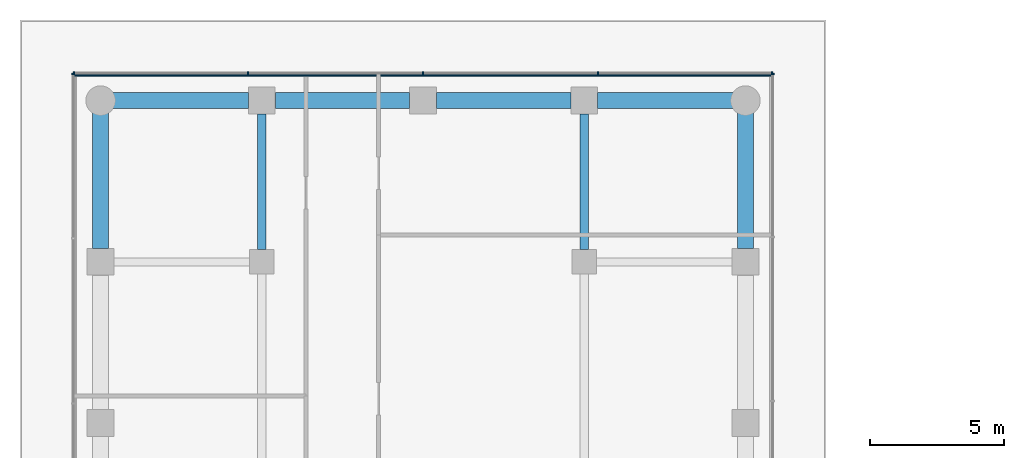
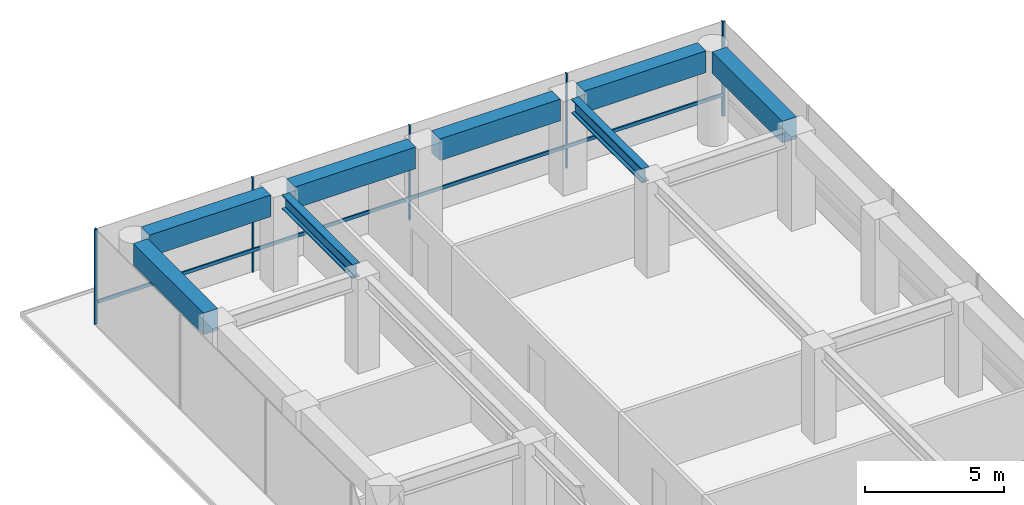
# One storey, part 19 of 24: 8 beams, 8 members, 3 elements without a shape of their own.
"""IFC4 building model written with IfcOpenShell, lengths in metres."""

from ifc_helpers import new_model, si_unit, direction, frame, origin, origin_2d, place, context, subcontext, project, spatial, rectangle, i_section, extrude, material, layer, layer_set, material_profile, profile_set, type_object, element, aggregate, save


model = new_model("IFC4")

# Units and contexts
model_context = context("Model", 3, precision=1e-05, world=origin(), true_north=direction((0.0, 1.0)))
body_context = subcontext(model_context, "Body", "Model", "MODEL_VIEW")
ifc_project = project(units=[si_unit("LENGTHUNIT", "METRE"), si_unit("AREAUNIT", "SQUARE_METRE"), si_unit("VOLUMEUNIT", "CUBIC_METRE"), si_unit("PLANEANGLEUNIT", "RADIAN"), si_unit("MASSUNIT", "GRAM", prefix="KILO")], contexts=[model_context])

# Site, building, storey
site_placement = place(None, origin())
site = spatial("IfcSite", under=ifc_project, at=site_placement, CompositionType="ELEMENT")
building_placement = place(site_placement, origin())
building = spatial("IfcBuilding", under=site, at=building_placement, Name="Welwitschia Terrace Campus", CompositionType="ELEMENT")
storey_placement = place(building_placement, frame((0.0, 0.0, 20.0)))
storey = spatial("IfcBuildingStorey", under=building, at=storey_placement, Name="L04", CompositionType="ELEMENT", Elevation=20.0)

# Beams
ifc_material_1 = material(Name="Steel S355", Category="steel")
ifc_material_profile_1 = material_profile(ifc_material_1, i_section(OverallWidth=0.304931640625, OverallDepth=0.6201171875, WebThickness=0.02099609375, FlangeThickness=0.0400390625, FilletRadius=0.027099609375, at=origin_2d()))
ifc_profile_set_1 = profile_set([ifc_material_profile_1], Name="Steel S355")
beam_type_1 = type_object("IfcBeamType", Name="Interior girder HE 600 M", PredefinedType="BEAM", material=ifc_profile_set_1)
for number, where, z_axis, x_axis, name in (
    (1, (6.0, 56.450439453125, 3.840087890625), (0.0, 1.0, 0.0), (-1.0, 0.0, 0.0), "Girder GB1"),
    (2, (18.0, 56.450439453125, 3.840087890625), (0.0, 1.0, 0.0), (-1.0, 0.0, 0.0), "Girder GB1"),
):
    element("IfcBeam", number, at=place(storey_placement, frame(where, z_axis=z_axis, x_axis=x_axis)), inside=storey, type_object=beam_type_1, Name=name, PredefinedType="BEAM", context=body_context, shape_type="SweptSolid", body=[
        extrude(i_section(OverallWidth=0.304931640625, OverallDepth=0.6201171875, WebThickness=0.02099609375, FlangeThickness=0.0400390625, FilletRadius=0.027099609375, at=origin_2d()), origin(), (0.0, 0.0, 1.0), 5.05908203125),
    ])

# Curtain wall, member
ifc_material_2 = material(Name="Bronze anodised aluminium", Category="aluminium")
ifc_layer = layer(ifc_material_2, 0.1201171875)
ifc_layer_set = layer_set([ifc_layer], Name="Bronze anodised aluminium")
curtain_wall_type = type_object("IfcCurtainWallType", Name="Curtain wall CW2 tower 6000", PredefinedType="NOTDEFINED", material=ifc_layer_set)
curtain_wall_1_placement = place(storey_placement, origin())
curtain_wall_1 = element("IfcCurtainWall", 3, at=curtain_wall_1_placement, inside=storey, type_object=curtain_wall_type, Name="CW L04.7.0", PredefinedType="NOTDEFINED")
ifc_material_3 = material(Name="Bronze anodised aluminium", Category="aluminium")
ifc_material_profile_2 = material_profile(ifc_material_3, rectangle(XDim=0.1201171875, YDim=0.06005859375, at=origin_2d()))
ifc_profile_set_2 = profile_set([ifc_material_profile_2], Name="Bronze anodised aluminium")
member_type_1 = type_object("IfcMemberType", Name="Mullion 60x120", PredefinedType="MULLION", material=ifc_profile_set_2)
member_1_placement = place(storey_placement, frame((25.02001953125, 62.989990234375, 0.0), z_axis=(0.0, 0.0, 1.0), x_axis=(-1.0, 0.0, 0.0)))
member_1 = element("IfcMember", 4, at=member_1_placement, type_object=member_type_1, Name="Mullion L04.7.0.6", PredefinedType="MULLION", context=body_context, shape_type="SweptSolid", body=[
    extrude(rectangle(XDim=0.1201171875, YDim=0.06005859375, at=origin_2d()), origin(), (0.0, 0.0, 1.0), 4.14990234375),
])
aggregate(curtain_wall_1, [member_1])

# Curtain wall, members
curtain_wall_2_placement = place(storey_placement, origin())
curtain_wall_2 = element("IfcCurtainWall", 5, at=curtain_wall_2_placement, inside=storey, type_object=curtain_wall_type, Name="CW L04.8.0", PredefinedType="NOTDEFINED")
member_2_placement = place(storey_placement, frame((24.989990234375, 63.02001953125, 0.0), z_axis=(0.0, 0.0, 1.0), x_axis=(0.0, -1.0, 0.0)))
member_2 = element("IfcMember", 6, at=member_2_placement, type_object=member_type_1, Name="Mullion L04.8.0.0", PredefinedType="MULLION", context=body_context, shape_type="SweptSolid", body=[
    extrude(rectangle(XDim=0.1201171875, YDim=0.06005859375, at=origin_2d()), origin(), (0.0, 0.0, 1.0), 4.14990234375),
])
member_3_placement = place(storey_placement, frame((18.510009765625, 63.02001953125, 0.0), z_axis=(0.0, 0.0, 1.0), x_axis=(0.0, -1.0, 0.0)))
member_3 = element("IfcMember", 7, at=member_3_placement, type_object=member_type_1, Name="Mullion L04.8.0.1", PredefinedType="MULLION", context=body_context, shape_type="SweptSolid", body=[
    extrude(rectangle(XDim=0.1201171875, YDim=0.06005859375, at=origin_2d()), origin(), (0.0, 0.0, 1.0), 4.14990234375),
])
member_4_placement = place(storey_placement, frame((12.0, 63.02001953125, 0.0), z_axis=(0.0, 0.0, 1.0), x_axis=(0.0, -1.0, 0.0)))
member_4 = element("IfcMember", 8, at=member_4_placement, type_object=member_type_1, Name="Mullion L04.8.0.2", PredefinedType="MULLION", context=body_context, shape_type="SweptSolid", body=[
    extrude(rectangle(XDim=0.1201171875, YDim=0.06005859375, at=origin_2d()), origin(), (0.0, 0.0, 1.0), 4.14990234375),
])
member_5_placement = place(storey_placement, frame((5.489990234375, 63.02001953125, 0.0), z_axis=(0.0, 0.0, 1.0), x_axis=(0.0, -1.0, 0.0)))
member_5 = element("IfcMember", 9, at=member_5_placement, type_object=member_type_1, Name="Mullion L04.8.0.3", PredefinedType="MULLION", context=body_context, shape_type="SweptSolid", body=[
    extrude(rectangle(XDim=0.1201171875, YDim=0.06005859375, at=origin_2d()), origin(), (0.0, 0.0, 1.0), 4.14990234375),
])
member_6_placement = place(storey_placement, frame((-0.989990234375, 63.02001953125, 0.0), z_axis=(0.0, 0.0, 1.0), x_axis=(0.0, -1.0, 0.0)))
member_6 = element("IfcMember", 10, at=member_6_placement, type_object=member_type_1, Name="Mullion L04.8.0.4", PredefinedType="MULLION", context=body_context, shape_type="SweptSolid", body=[
    extrude(rectangle(XDim=0.1201171875, YDim=0.06005859375, at=origin_2d()), origin(), (0.0, 0.0, 1.0), 4.14990234375),
])

# Curtain wall, member
curtain_wall_3_placement = place(storey_placement, origin())
curtain_wall_3 = element("IfcCurtainWall", 11, at=curtain_wall_3_placement, inside=storey, type_object=curtain_wall_type, Name="CW L04.9.0", PredefinedType="NOTDEFINED")
member_7_placement = place(storey_placement, frame((-1.02001953125, 62.989990234375, 0.0), z_axis=(0.0, 0.0, 1.0), x_axis=(1.0, 0.0, 0.0)))
member_7 = element("IfcMember", 12, at=member_7_placement, type_object=member_type_1, Name="Mullion L04.9.0.0", PredefinedType="MULLION", context=body_context, shape_type="SweptSolid", body=[
    extrude(rectangle(XDim=0.1201171875, YDim=0.06005859375, at=origin_2d()), origin(), (0.0, 0.0, 1.0), 4.14990234375),
])
aggregate(curtain_wall_3, [member_7])

# Beams
ifc_material_4 = material(Name="Concrete C60/75", Category="concrete")
ifc_material_profile_3 = material_profile(ifc_material_4, rectangle(XDim=0.60009765625, YDim=0.949951171875, at=origin_2d()))
ifc_profile_set_3 = profile_set([ifc_material_profile_3], Name="Concrete C60/75")
beam_type_2 = type_object("IfcBeamType", Name="Ring spandrel 600x950", PredefinedType="SPANDREL", material=ifc_profile_set_3)
for number, where, z_axis, x_axis, name in (
    (13, (24.0, 56.50048828125, 3.675048828125), (0.0, 1.0, 0.0), (-1.0, 0.0, 0.0), "Spandrel SP1"),
    (14, (23.53857421875, 62.0, 3.675048828125), (-1.0, 0.0, 0.0), (0.0, -1.0, 0.0), "Spandrel SP1"),
):
    element("IfcBeam", number, at=place(storey_placement, frame(where, z_axis=z_axis, x_axis=x_axis)), inside=storey, type_object=beam_type_2, Name=name, PredefinedType="SPANDREL", context=body_context, shape_type="SweptSolid", body=[
        extrude(rectangle(XDim=0.60009765625, YDim=0.949951171875, at=origin_2d()), origin(), (0.0, 0.0, 1.0), 5.0380859375),
    ])
for number, where, z_axis, x_axis, name in (
    (15, (17.49951171875, 62.0, 3.675048828125), (-1.0, 0.0, 0.0), (0.0, -1.0, 0.0), "Spandrel SP1"),
    (16, (11.49951171875, 62.0, 3.675048828125), (-1.0, 0.0, 0.0), (0.0, -1.0, 0.0), "Spandrel SP1"),
):
    element("IfcBeam", number, at=place(storey_placement, frame(where, z_axis=z_axis, x_axis=x_axis)), inside=storey, type_object=beam_type_2, Name=name, PredefinedType="SPANDREL", context=body_context, shape_type="SweptSolid", body=[
        extrude(rectangle(XDim=0.60009765625, YDim=0.949951171875, at=origin_2d()), origin(), (0.0, 0.0, 1.0), 4.9990234375),
    ])
for number, where, z_axis, x_axis, name in (
    (17, (5.49951171875, 62.0, 3.675048828125), (-1.0, 0.0, 0.0), (0.0, -1.0, 0.0), "Spandrel SP1"),
    (18, (0.0, 61.53857421875, 3.675048828125), (0.0, -1.0, 0.0), (1.0, 0.0, 0.0), "Spandrel SP1"),
):
    element("IfcBeam", number, at=place(storey_placement, frame(where, z_axis=z_axis, x_axis=x_axis)), inside=storey, type_object=beam_type_2, Name=name, PredefinedType="SPANDREL", context=body_context, shape_type="SweptSolid", body=[
        extrude(rectangle(XDim=0.60009765625, YDim=0.949951171875, at=origin_2d()), origin(), (0.0, 0.0, 1.0), 5.0380859375),
    ])

# Member
ifc_material_5 = material(Name="Bronze anodised aluminium", Category="aluminium")
ifc_material_profile_4 = material_profile(ifc_material_5, rectangle(XDim=0.06005859375, YDim=0.14990234375, at=origin_2d()))
ifc_profile_set_4 = profile_set([ifc_material_profile_4], Name="Bronze anodised aluminium")
member_type_2 = type_object("IfcMemberType", Name="Transom 60x150", PredefinedType="USERDEFINED", material=ifc_profile_set_4)
member_8_placement = place(storey_placement, frame((24.9599609375, 62.929931640625, 1.0), z_axis=(-1.0, 0.0, 0.0), x_axis=(0.0, -1.0, 0.0)))
member_8 = element("IfcMember", 19, at=member_8_placement, type_object=member_type_2, Name="Transom L04.8.0", ObjectType="TRANSOM", PredefinedType="USERDEFINED", context=body_context, shape_type="SweptSolid", body=[
    extrude(rectangle(XDim=0.06005859375, YDim=0.14990234375, at=origin_2d()), origin(), (0.0, 0.0, 1.0), 25.919921875),
])

aggregate(curtain_wall_2, [member_2, member_3, member_4, member_5, member_6, member_8])

save(model, "model.ifc")
